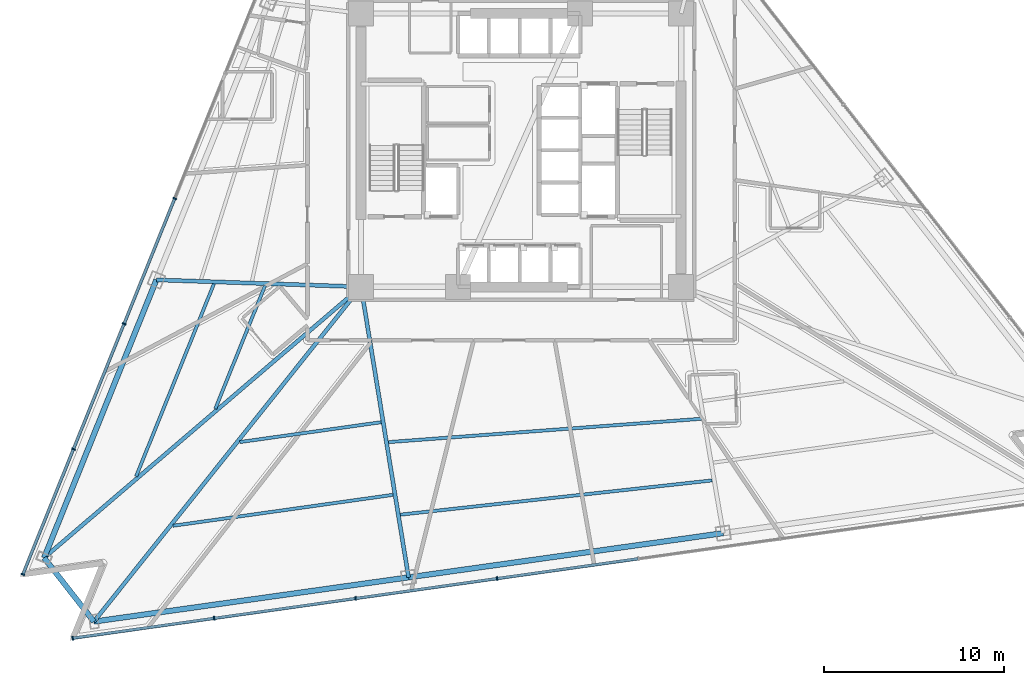
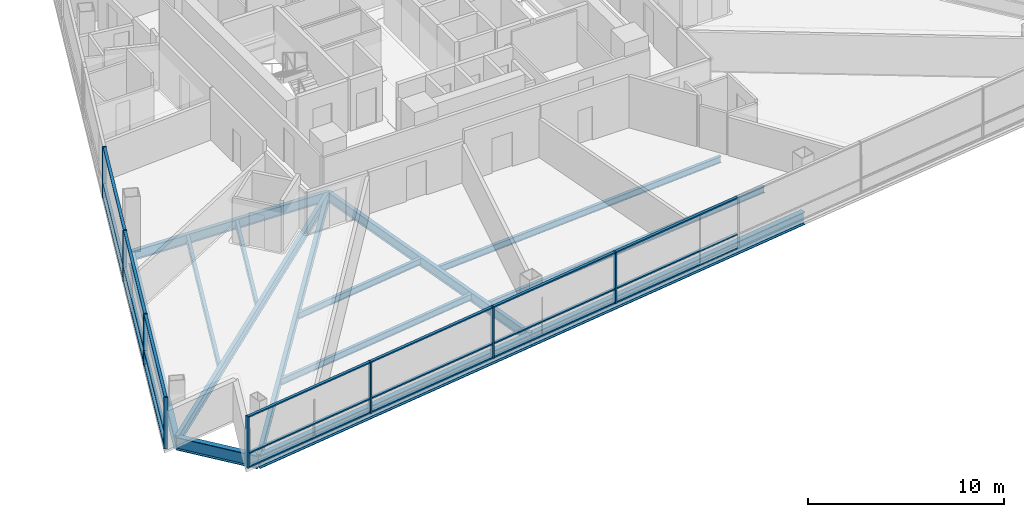
# One storey, part 2 of 15: 29 members, 14 beams, 2 elements without a shape of their own.
"""IFC4 building model written with IfcOpenShell, lengths in metres."""

from ifc_helpers import new_model, si_unit, direction, frame, origin, origin_2d, place, context, subcontext, project, spatial, rectangle, i_section, extrude, material, layer, layer_set, material_profile, profile_set, type_object, element, aggregate, save


model = new_model("IFC4")

# Units and contexts
model_context = context("Model", 3, precision=1e-05, world=origin(), true_north=direction((0.0, 1.0)))
body_context = subcontext(model_context, "Body", "Model", "MODEL_VIEW")
ifc_project = project(units=[si_unit("LENGTHUNIT", "METRE"), si_unit("AREAUNIT", "SQUARE_METRE"), si_unit("VOLUMEUNIT", "CUBIC_METRE"), si_unit("PLANEANGLEUNIT", "RADIAN"), si_unit("MASSUNIT", "GRAM", prefix="KILO")], contexts=[model_context])

# Site, building, storey
site_placement = place(None, origin())
site = spatial("IfcSite", under=ifc_project, at=site_placement, CompositionType="ELEMENT")
building_placement = place(site_placement, origin())
building = spatial("IfcBuilding", under=site, at=building_placement, Name="Tharavind Bronze Gate", CompositionType="ELEMENT")
storey_placement = place(building_placement, frame((0.0, 0.0, 77.64990234375)))
storey = spatial("IfcBuildingStorey", under=building, at=storey_placement, Name="L19", CompositionType="ELEMENT", Elevation=77.64990234375)

# Curtain wall, members
ifc_material_1 = material(Name="Anodised Bronze Aluminium", Category="aluminium")
ifc_layer = layer(ifc_material_1, 0.219970703125)
ifc_layer_set = layer_set([ifc_layer], Name="Anodised Bronze Aluminium")
curtain_wall_type = type_object("IfcCurtainWallType", Name="UNITISED CURTAIN WALL HOTEL", PredefinedType="USERDEFINED", material=ifc_layer_set)
curtain_wall_1_placement = place(storey_placement, origin())
curtain_wall_1 = element("IfcCurtainWall", 1, at=curtain_wall_1_placement, inside=storey, type_object=curtain_wall_type, Name="L19 unitised curtain wall hotel CW-L19-S1", ObjectType="UNITISED CURTAIN WALL", PredefinedType="USERDEFINED")
member_type_1 = type_object("IfcMemberType", Name="CURTAIN WALL MULLION 80X220", PredefinedType="MULLION", material=ifc_material_1)
member_1_placement = place(storey_placement, frame((-19.261474609375, -2.688232421875, 0.0), z_axis=(0.0, 0.0, 1.0), x_axis=(-0.374606593416, -0.927183854567, 0.0)))
member_1 = element("IfcMember", 2, at=member_1_placement, type_object=member_type_1, Name="CW-L19-S1 mullion 5", PredefinedType="MULLION", context=body_context, shape_type="SweptSolid", body=[
    extrude(rectangle(XDim=0.080078125, YDim=0.219970703125, at=origin_2d()), origin(), (0.0, 0.0, 1.0), 3.2099609375),
])
member_2_placement = place(storey_placement, frame((-22.07666015625, -9.65625, 0.0), z_axis=(0.0, 0.0, 1.0), x_axis=(-0.374606593416, -0.927183854567, 0.0)))
member_2 = element("IfcMember", 3, at=member_2_placement, type_object=member_type_1, Name="CW-L19-S1 mullion 6", PredefinedType="MULLION", context=body_context, shape_type="SweptSolid", body=[
    extrude(rectangle(XDim=0.080078125, YDim=0.219970703125, at=origin_2d()), origin(), (0.0, 0.0, 1.0), 3.2099609375),
])
member_3_placement = place(storey_placement, frame((-24.891845703125, -16.6240234375, 0.0), z_axis=(0.0, 0.0, 1.0), x_axis=(-0.374606593416, -0.927183854567, 0.0)))
member_3 = element("IfcMember", 4, at=member_3_placement, type_object=member_type_1, Name="CW-L19-S1 mullion 7", PredefinedType="MULLION", context=body_context, shape_type="SweptSolid", body=[
    extrude(rectangle(XDim=0.080078125, YDim=0.219970703125, at=origin_2d()), origin(), (0.0, 0.0, 1.0), 3.2099609375),
])
member_4_placement = place(storey_placement, frame((-27.70703125, -23.591796875, 0.0), z_axis=(0.0, 0.0, 1.0), x_axis=(-0.374606593416, -0.927183854567, 0.0)))
member_4 = element("IfcMember", 5, at=member_4_placement, type_object=member_type_1, Name="CW-L19-S1 mullion 8", PredefinedType="MULLION", context=body_context, shape_type="SweptSolid", body=[
    extrude(rectangle(XDim=0.080078125, YDim=0.219970703125, at=origin_2d()), origin(), (0.0, 0.0, 1.0), 3.2099609375),
])

curtain_wall_2_placement = place(storey_placement, origin())
curtain_wall_2 = element("IfcCurtainWall", 6, at=curtain_wall_2_placement, inside=storey, type_object=curtain_wall_type, Name="L19 unitised curtain wall hotel CW-L19-S2", ObjectType="UNITISED CURTAIN WALL", PredefinedType="USERDEFINED")
member_5_placement = place(storey_placement, frame((-24.9365234375, -27.137939453125, 0.0), z_axis=(0.0, 0.0, 1.0), x_axis=(0.990268068742, 0.13917310096, 0.0)))
member_5 = element("IfcMember", 7, at=member_5_placement, type_object=member_type_1, Name="CW-L19-S2 mullion 1", PredefinedType="MULLION", context=body_context, shape_type="SweptSolid", body=[
    extrude(rectangle(XDim=0.080078125, YDim=0.219970703125, at=origin_2d()), origin(), (0.0, 0.0, 1.0), 3.2099609375),
])
member_6_placement = place(storey_placement, frame((-17.0703125, -26.032470703125, 0.0), z_axis=(0.0, 0.0, 1.0), x_axis=(0.990268068742, 0.13917310096, 0.0)))
member_6 = element("IfcMember", 8, at=member_6_placement, type_object=member_type_1, Name="CW-L19-S2 mullion 2", PredefinedType="MULLION", context=body_context, shape_type="SweptSolid", body=[
    extrude(rectangle(XDim=0.080078125, YDim=0.219970703125, at=origin_2d()), origin(), (0.0, 0.0, 1.0), 3.2099609375),
])
member_7_placement = place(storey_placement, frame((-9.203857421875, -24.9267578125, 0.0), z_axis=(0.0, 0.0, 1.0), x_axis=(0.990268068742, 0.13917310096, 0.0)))
member_7 = element("IfcMember", 9, at=member_7_placement, type_object=member_type_1, Name="CW-L19-S2 mullion 3", PredefinedType="MULLION", context=body_context, shape_type="SweptSolid", body=[
    extrude(rectangle(XDim=0.080078125, YDim=0.219970703125, at=origin_2d()), origin(), (0.0, 0.0, 1.0), 3.2099609375),
])
member_8_placement = place(storey_placement, frame((-1.337646484375, -23.8212890625, 0.0), z_axis=(0.0, 0.0, 1.0), x_axis=(0.990268068742, 0.13917310096, 0.0)))
member_8 = element("IfcMember", 10, at=member_8_placement, type_object=member_type_1, Name="CW-L19-S2 mullion 4", PredefinedType="MULLION", context=body_context, shape_type="SweptSolid", body=[
    extrude(rectangle(XDim=0.080078125, YDim=0.219970703125, at=origin_2d()), origin(), (0.0, 0.0, 1.0), 3.2099609375),
])

# Member
member_type_2 = type_object("IfcMemberType", Name="CURTAIN WALL TRANSOM 80X160", PredefinedType="USERDEFINED", material=ifc_material_1)
member_9_placement = place(storey_placement, frame((-20.669189453125, -6.17236328125, 0.0), z_axis=(0.0, 0.0, 1.0), x_axis=(-0.374606593416, -0.927183854567, 0.0)))
member_9 = element("IfcMember", 11, at=member_9_placement, type_object=member_type_2, Name="CW-L19-S1 transom TB5", ObjectType="TRANSOM", PredefinedType="USERDEFINED", context=body_context, shape_type="SweptSolid", body=[
    extrude(rectangle(XDim=7.447021484375, YDim=0.159912109375, at=origin_2d()), origin(), (0.0, 0.0, 1.0), 0.080078125),
])

member_10_placement = place(storey_placement, frame((-20.669189453125, -6.17236328125, 0.860107421875), z_axis=(0.0, 0.0, 1.0), x_axis=(-0.374606593416, -0.927183854567, 0.0)))
member_10 = element("IfcMember", 12, at=member_10_placement, type_object=member_type_2, Name="CW-L19-S1 transom TS5", ObjectType="TRANSOM", PredefinedType="USERDEFINED", context=body_context, shape_type="SweptSolid", body=[
    extrude(rectangle(XDim=7.447021484375, YDim=0.159912109375, at=origin_2d()), origin(), (0.0, 0.0, 1.0), 0.080078125),
])

member_11_placement = place(storey_placement, frame((-20.669189453125, -6.17236328125, 3.130126953125), z_axis=(0.0, 0.0, 1.0), x_axis=(-0.374606593416, -0.927183854567, 0.0)))
member_11 = element("IfcMember", 13, at=member_11_placement, type_object=member_type_2, Name="CW-L19-S1 transom TT5", ObjectType="TRANSOM", PredefinedType="USERDEFINED", context=body_context, shape_type="SweptSolid", body=[
    extrude(rectangle(XDim=7.447021484375, YDim=0.159912109375, at=origin_2d()), origin(), (0.0, 0.0, 1.0), 0.080078125),
])

member_12_placement = place(storey_placement, frame((-23.484375, -13.14013671875, 0.0), z_axis=(0.0, 0.0, 1.0), x_axis=(-0.374606593416, -0.927183854567, 0.0)))
member_12 = element("IfcMember", 14, at=member_12_placement, type_object=member_type_2, Name="CW-L19-S1 transom TB6", ObjectType="TRANSOM", PredefinedType="USERDEFINED", context=body_context, shape_type="SweptSolid", body=[
    extrude(rectangle(XDim=7.447021484375, YDim=0.159912109375, at=origin_2d()), origin(), (0.0, 0.0, 1.0), 0.080078125),
])

member_13_placement = place(storey_placement, frame((-23.484375, -13.14013671875, 0.860107421875), z_axis=(0.0, 0.0, 1.0), x_axis=(-0.374606593416, -0.927183854567, 0.0)))
member_13 = element("IfcMember", 15, at=member_13_placement, type_object=member_type_2, Name="CW-L19-S1 transom TS6", ObjectType="TRANSOM", PredefinedType="USERDEFINED", context=body_context, shape_type="SweptSolid", body=[
    extrude(rectangle(XDim=7.447021484375, YDim=0.159912109375, at=origin_2d()), origin(), (0.0, 0.0, 1.0), 0.080078125),
])

member_14_placement = place(storey_placement, frame((-23.484375, -13.14013671875, 3.130126953125), z_axis=(0.0, 0.0, 1.0), x_axis=(-0.374606593416, -0.927183854567, 0.0)))
member_14 = element("IfcMember", 16, at=member_14_placement, type_object=member_type_2, Name="CW-L19-S1 transom TT6", ObjectType="TRANSOM", PredefinedType="USERDEFINED", context=body_context, shape_type="SweptSolid", body=[
    extrude(rectangle(XDim=7.447021484375, YDim=0.159912109375, at=origin_2d()), origin(), (0.0, 0.0, 1.0), 0.080078125),
])

member_15_placement = place(storey_placement, frame((-26.299560546875, -20.10791015625, 0.0), z_axis=(0.0, 0.0, 1.0), x_axis=(-0.374606593416, -0.927183854567, 0.0)))
member_15 = element("IfcMember", 17, at=member_15_placement, type_object=member_type_2, Name="CW-L19-S1 transom TB7", ObjectType="TRANSOM", PredefinedType="USERDEFINED", context=body_context, shape_type="SweptSolid", body=[
    extrude(rectangle(XDim=7.447021484375, YDim=0.159912109375, at=origin_2d()), origin(), (0.0, 0.0, 1.0), 0.080078125),
])

member_16_placement = place(storey_placement, frame((-26.299560546875, -20.10791015625, 0.860107421875), z_axis=(0.0, 0.0, 1.0), x_axis=(-0.374606593416, -0.927183854567, 0.0)))
member_16 = element("IfcMember", 18, at=member_16_placement, type_object=member_type_2, Name="CW-L19-S1 transom TS7", ObjectType="TRANSOM", PredefinedType="USERDEFINED", context=body_context, shape_type="SweptSolid", body=[
    extrude(rectangle(XDim=7.447021484375, YDim=0.159912109375, at=origin_2d()), origin(), (0.0, 0.0, 1.0), 0.080078125),
])

member_17_placement = place(storey_placement, frame((-26.299560546875, -20.10791015625, 3.130126953125), z_axis=(0.0, 0.0, 1.0), x_axis=(-0.374606593416, -0.927183854567, 0.0)))
member_17 = element("IfcMember", 19, at=member_17_placement, type_object=member_type_2, Name="CW-L19-S1 transom TT7", ObjectType="TRANSOM", PredefinedType="USERDEFINED", context=body_context, shape_type="SweptSolid", body=[
    extrude(rectangle(XDim=7.447021484375, YDim=0.159912109375, at=origin_2d()), origin(), (0.0, 0.0, 1.0), 0.080078125),
])

aggregate(curtain_wall_1, [member_1, member_2, member_3, member_4, member_9, member_10, member_11, member_12, member_13, member_14, member_15, member_16, member_17])

member_18_placement = place(storey_placement, frame((-21.00341796875, -26.585205078125, 0.0), z_axis=(0.0, 0.0, 1.0), x_axis=(0.990268068742, 0.13917310096, 0.0)))
member_18 = element("IfcMember", 20, at=member_18_placement, type_object=member_type_2, Name="CW-L19-S2 transom TB1", ObjectType="TRANSOM", PredefinedType="USERDEFINED", context=body_context, shape_type="SweptSolid", body=[
    extrude(rectangle(XDim=7.87548828125, YDim=0.159912109375, at=origin_2d()), origin(), (0.0, 0.0, 1.0), 0.080078125),
])

member_19_placement = place(storey_placement, frame((-21.00341796875, -26.585205078125, 0.860107421875), z_axis=(0.0, 0.0, 1.0), x_axis=(0.990268068742, 0.13917310096, 0.0)))
member_19 = element("IfcMember", 21, at=member_19_placement, type_object=member_type_2, Name="CW-L19-S2 transom TS1", ObjectType="TRANSOM", PredefinedType="USERDEFINED", context=body_context, shape_type="SweptSolid", body=[
    extrude(rectangle(XDim=7.87548828125, YDim=0.159912109375, at=origin_2d()), origin(), (0.0, 0.0, 1.0), 0.080078125),
])

member_20_placement = place(storey_placement, frame((-21.00341796875, -26.585205078125, 3.130126953125), z_axis=(0.0, 0.0, 1.0), x_axis=(0.990268068742, 0.13917310096, 0.0)))
member_20 = element("IfcMember", 22, at=member_20_placement, type_object=member_type_2, Name="CW-L19-S2 transom TT1", ObjectType="TRANSOM", PredefinedType="USERDEFINED", context=body_context, shape_type="SweptSolid", body=[
    extrude(rectangle(XDim=7.87548828125, YDim=0.159912109375, at=origin_2d()), origin(), (0.0, 0.0, 1.0), 0.080078125),
])

member_21_placement = place(storey_placement, frame((-13.13720703125, -25.4794921875, 0.0), z_axis=(0.0, 0.0, 1.0), x_axis=(0.990268068742, 0.13917310096, 0.0)))
member_21 = element("IfcMember", 23, at=member_21_placement, type_object=member_type_2, Name="CW-L19-S2 transom TB2", ObjectType="TRANSOM", PredefinedType="USERDEFINED", context=body_context, shape_type="SweptSolid", body=[
    extrude(rectangle(XDim=7.87548828125, YDim=0.159912109375, at=origin_2d()), origin(), (0.0, 0.0, 1.0), 0.080078125),
])

member_22_placement = place(storey_placement, frame((-13.13720703125, -25.4794921875, 0.860107421875), z_axis=(0.0, 0.0, 1.0), x_axis=(0.990268068742, 0.13917310096, 0.0)))
member_22 = element("IfcMember", 24, at=member_22_placement, type_object=member_type_2, Name="CW-L19-S2 transom TS2", ObjectType="TRANSOM", PredefinedType="USERDEFINED", context=body_context, shape_type="SweptSolid", body=[
    extrude(rectangle(XDim=7.87548828125, YDim=0.159912109375, at=origin_2d()), origin(), (0.0, 0.0, 1.0), 0.080078125),
])

member_23_placement = place(storey_placement, frame((-13.13720703125, -25.4794921875, 3.130126953125), z_axis=(0.0, 0.0, 1.0), x_axis=(0.990268068742, 0.13917310096, 0.0)))
member_23 = element("IfcMember", 25, at=member_23_placement, type_object=member_type_2, Name="CW-L19-S2 transom TT2", ObjectType="TRANSOM", PredefinedType="USERDEFINED", context=body_context, shape_type="SweptSolid", body=[
    extrude(rectangle(XDim=7.87548828125, YDim=0.159912109375, at=origin_2d()), origin(), (0.0, 0.0, 1.0), 0.080078125),
])

member_24_placement = place(storey_placement, frame((-5.270751953125, -24.3740234375, 0.0), z_axis=(0.0, 0.0, 1.0), x_axis=(0.990268068742, 0.13917310096, 0.0)))
member_24 = element("IfcMember", 26, at=member_24_placement, type_object=member_type_2, Name="CW-L19-S2 transom TB3", ObjectType="TRANSOM", PredefinedType="USERDEFINED", context=body_context, shape_type="SweptSolid", body=[
    extrude(rectangle(XDim=7.87548828125, YDim=0.159912109375, at=origin_2d()), origin(), (0.0, 0.0, 1.0), 0.080078125),
])

member_25_placement = place(storey_placement, frame((-5.270751953125, -24.3740234375, 0.860107421875), z_axis=(0.0, 0.0, 1.0), x_axis=(0.990268068742, 0.13917310096, 0.0)))
member_25 = element("IfcMember", 27, at=member_25_placement, type_object=member_type_2, Name="CW-L19-S2 transom TS3", ObjectType="TRANSOM", PredefinedType="USERDEFINED", context=body_context, shape_type="SweptSolid", body=[
    extrude(rectangle(XDim=7.87548828125, YDim=0.159912109375, at=origin_2d()), origin(), (0.0, 0.0, 1.0), 0.080078125),
])

member_26_placement = place(storey_placement, frame((-5.270751953125, -24.3740234375, 3.130126953125), z_axis=(0.0, 0.0, 1.0), x_axis=(0.990268068742, 0.13917310096, 0.0)))
member_26 = element("IfcMember", 28, at=member_26_placement, type_object=member_type_2, Name="CW-L19-S2 transom TT3", ObjectType="TRANSOM", PredefinedType="USERDEFINED", context=body_context, shape_type="SweptSolid", body=[
    extrude(rectangle(XDim=7.87548828125, YDim=0.159912109375, at=origin_2d()), origin(), (0.0, 0.0, 1.0), 0.080078125),
])

member_27_placement = place(storey_placement, frame((2.595703125, -23.2685546875, 0.0), z_axis=(0.0, 0.0, 1.0), x_axis=(0.990268068742, 0.13917310096, 0.0)))
member_27 = element("IfcMember", 29, at=member_27_placement, type_object=member_type_2, Name="CW-L19-S2 transom TB4", ObjectType="TRANSOM", PredefinedType="USERDEFINED", context=body_context, shape_type="SweptSolid", body=[
    extrude(rectangle(XDim=7.87548828125, YDim=0.159912109375, at=origin_2d()), origin(), (0.0, 0.0, 1.0), 0.080078125),
])

member_28_placement = place(storey_placement, frame((2.595703125, -23.2685546875, 0.860107421875), z_axis=(0.0, 0.0, 1.0), x_axis=(0.990268068742, 0.13917310096, 0.0)))
member_28 = element("IfcMember", 30, at=member_28_placement, type_object=member_type_2, Name="CW-L19-S2 transom TS4", ObjectType="TRANSOM", PredefinedType="USERDEFINED", context=body_context, shape_type="SweptSolid", body=[
    extrude(rectangle(XDim=7.87548828125, YDim=0.159912109375, at=origin_2d()), origin(), (0.0, 0.0, 1.0), 0.080078125),
])

member_29_placement = place(storey_placement, frame((2.595703125, -23.2685546875, 3.130126953125), z_axis=(0.0, 0.0, 1.0), x_axis=(0.990268068742, 0.13917310096, 0.0)))
member_29 = element("IfcMember", 31, at=member_29_placement, type_object=member_type_2, Name="CW-L19-S2 transom TT4", ObjectType="TRANSOM", PredefinedType="USERDEFINED", context=body_context, shape_type="SweptSolid", body=[
    extrude(rectangle(XDim=7.87548828125, YDim=0.159912109375, at=origin_2d()), origin(), (0.0, 0.0, 1.0), 0.080078125),
])

aggregate(curtain_wall_2, [member_5, member_6, member_7, member_8, member_18, member_19, member_20, member_21, member_22, member_23, member_24, member_25, member_26, member_27, member_28, member_29])

# Beams
ifc_material_2 = material(Name="Steel S355", Category="steel")
ifc_material_profile_1 = material_profile(ifc_material_2, i_section(OverallWidth=0.219970703125, OverallDepth=0.60009765625, WebThickness=0.011962890625, FlangeThickness=0.01904296875, at=origin_2d()), Name="IPE600")
ifc_profile_set_1 = profile_set([ifc_material_profile_1], Name="Steel S355")
beam_type_1 = type_object("IfcBeamType", Name="PRIMARY GIRDER IPE600", PredefinedType="USERDEFINED", material=ifc_profile_set_1)
beam_1_placement = place(storey_placement, frame((-20.28076171875, -7.212890625, -0.474853515625), z_axis=(0.999421731514, -0.034002978938, 0.0), x_axis=(0.034002978938, 0.999421731514, 0.0)))
element("IfcBeam", 32, at=beam_1_placement, inside=storey, type_object=beam_type_1, Name="L19 primary girder ipe600 BM-L19-RAD03", ObjectType="GIRDER", PredefinedType="USERDEFINED", context=body_context, shape_type="SweptSolid", body=[
    extrude(i_section(OverallWidth=0.219970703125, OverallDepth=0.60009765625, WebThickness=0.011962890625, FlangeThickness=0.01904296875, at=origin_2d()), origin(), (0.0, 0.0, 1.0), 11.387451171875),
])
beam_2_placement = place(storey_placement, frame((-26.525146484375, -22.66845703125, -0.474853515625), z_axis=(0.760086871137, 0.649821474195, 0.0), x_axis=(-0.649821474195, 0.760086871137, 0.0)))
element("IfcBeam", 33, at=beam_2_placement, inside=storey, type_object=beam_type_1, Name="L19 primary girder ipe600 BM-L19-RAD04", ObjectType="GIRDER", PredefinedType="USERDEFINED", context=body_context, shape_type="SweptSolid", body=[
    extrude(i_section(OverallWidth=0.219970703125, OverallDepth=0.60009765625, WebThickness=0.011962890625, FlangeThickness=0.01904296875, at=origin_2d()), origin(), (0.0, 0.0, 1.0), 23.1884765625),
])
beam_3_placement = place(storey_placement, frame((-23.754638671875, -26.21435546875, -0.474853515625), z_axis=(0.623755703822, 0.781619358735, 0.0), x_axis=(-0.781619358735, 0.623755703822, 0.0)))
element("IfcBeam", 34, at=beam_3_placement, inside=storey, type_object=beam_type_1, Name="L19 primary girder ipe600 BM-L19-RAD05", ObjectType="GIRDER", PredefinedType="USERDEFINED", context=body_context, shape_type="SweptSolid", body=[
    extrude(i_section(OverallWidth=0.219970703125, OverallDepth=0.60009765625, WebThickness=0.011962890625, FlangeThickness=0.01904296875, at=origin_2d()), origin(), (0.0, 0.0, 1.0), 23.81494140625),
])
beam_4_placement = place(storey_placement, frame((-6.25732421875, -23.75537109375, -0.474853515625), z_axis=(-0.161428355107, 0.986884434049, 0.0), x_axis=(-0.986884434049, -0.161428355107, 0.0)))
element("IfcBeam", 35, at=beam_4_placement, inside=storey, type_object=beam_type_1, Name="L19 primary girder ipe600 BM-L19-RAD06", ObjectType="GIRDER", PredefinedType="USERDEFINED", context=body_context, shape_type="SweptSolid", body=[
    extrude(i_section(OverallWidth=0.219970703125, OverallDepth=0.60009765625, WebThickness=0.011962890625, FlangeThickness=0.01904296875, at=origin_2d()), origin(), (0.0, 0.0, 1.0), 16.369873046875),
])
ifc_material_profile_2 = material_profile(ifc_material_2, i_section(OverallWidth=0.300048828125, OverallDepth=0.800048828125, WebThickness=0.017578125, FlangeThickness=0.032958984375, at=origin_2d()), Name="HE800B")
ifc_profile_set_2 = profile_set([ifc_material_profile_2], Name="Steel S355")
beam_type_2 = type_object("IfcBeamType", Name="RING GIRDER HE800B", PredefinedType="USERDEFINED", material=ifc_profile_set_2)
beam_5_placement = place(storey_placement, frame((-20.28076171875, -7.212890625, -0.574951171875), z_axis=(-0.374603014443, -0.927185300557, 0.0), x_axis=(0.927185300557, -0.374603014443, 0.0)))
element("IfcBeam", 36, at=beam_5_placement, inside=storey, type_object=beam_type_2, Name="L19 ring girder he800b BM-L19-PRG03", ObjectType="GIRDER", PredefinedType="USERDEFINED", context=body_context, shape_type="SweptSolid", body=[
    extrude(i_section(OverallWidth=0.300048828125, OverallDepth=0.800048828125, WebThickness=0.017578125, FlangeThickness=0.032958984375, at=origin_2d()), origin(), (0.0, 0.0, 1.0), 16.66943359375),
])
beam_6_placement = place(storey_placement, frame((-26.525146484375, -22.66845703125, -0.574951171875), z_axis=(0.615681943852, -0.787994761413, 0.0), x_axis=(0.787994761413, 0.615681943852, 0.0)))
element("IfcBeam", 37, at=beam_6_placement, inside=storey, type_object=beam_type_2, Name="L19 ring girder he800b BM-L19-PRG04", ObjectType="GIRDER", PredefinedType="USERDEFINED", context=body_context, shape_type="SweptSolid", body=[
    extrude(i_section(OverallWidth=0.300048828125, OverallDepth=0.800048828125, WebThickness=0.017578125, FlangeThickness=0.032958984375, at=origin_2d()), origin(), (0.0, 0.0, 1.0), 4.5),
])
beam_7_placement = place(storey_placement, frame((-23.754638671875, -26.21435546875, -0.574951171875), z_axis=(0.990268870582, 0.13916739545, 0.0), x_axis=(-0.13916739545, 0.990268870582, 0.0)))
element("IfcBeam", 38, at=beam_7_placement, inside=storey, type_object=beam_type_2, Name="L19 ring girder he800b BM-L19-PRG05", ObjectType="GIRDER", PredefinedType="USERDEFINED", context=body_context, shape_type="SweptSolid", body=[
    extrude(i_section(OverallWidth=0.300048828125, OverallDepth=0.800048828125, WebThickness=0.017578125, FlangeThickness=0.032958984375, at=origin_2d()), origin(), (0.0, 0.0, 1.0), 17.669189453125),
])
beam_8_placement = place(storey_placement, frame((-6.25732421875, -23.75537109375, -0.574951171875), z_axis=(0.99026860297, 0.139169299675, 0.0), x_axis=(-0.139169299675, 0.99026860297, 0.0)))
element("IfcBeam", 39, at=beam_8_placement, inside=storey, type_object=beam_type_2, Name="L19 ring girder he800b BM-L19-PRG06", ObjectType="GIRDER", PredefinedType="USERDEFINED", context=body_context, shape_type="SweptSolid", body=[
    extrude(i_section(OverallWidth=0.300048828125, OverallDepth=0.800048828125, WebThickness=0.017578125, FlangeThickness=0.032958984375, at=origin_2d()), origin(), (0.0, 0.0, 1.0), 17.6689453125),
])
ifc_material_profile_3 = material_profile(ifc_material_2, i_section(OverallWidth=0.179931640625, OverallDepth=0.39990234375, WebThickness=0.008544921875, FlangeThickness=0.013427734375, at=origin_2d()), Name="IPE400")
ifc_profile_set_3 = profile_set([ifc_material_profile_3], Name="Steel S355")
beam_type_3 = type_object("IfcBeamType", Name="SECONDARY FLOOR JOIST IPE400", PredefinedType="JOIST", material=ifc_profile_set_3)
beam_9_placement = place(storey_placement, frame((-14.2373046875, -7.5322265625, -0.375), z_axis=(-0.37461330308, -0.927181143658, 0.0), x_axis=(0.927181143658, -0.37461330308, 0.0)))
element("IfcBeam", 40, at=beam_9_placement, inside=storey, type_object=beam_type_3, Name="L19 secondary floor joist ipe400 BM-L19-JSTA03", PredefinedType="JOIST", context=body_context, shape_type="SweptSolid", body=[
    extrude(i_section(OverallWidth=0.179931640625, OverallDepth=0.39990234375, WebThickness=0.008544921875, FlangeThickness=0.013427734375, at=origin_2d()), origin(), (0.0, 0.0, 1.0), 7.387939453125),
])
beam_10_placement = place(storey_placement, frame((-17.08251953125, -7.435546875, -0.375), z_axis=(-0.374608720943, -0.927182994987, 0.0), x_axis=(0.927182994987, -0.374608720943, 0.0)))
element("IfcBeam", 41, at=beam_10_placement, inside=storey, type_object=beam_type_3, Name="L19 secondary floor joist ipe400 BM-L19-JSTB03", PredefinedType="JOIST", context=body_context, shape_type="SweptSolid", body=[
    extrude(i_section(OverallWidth=0.179931640625, OverallDepth=0.39990234375, WebThickness=0.008544921875, FlangeThickness=0.013427734375, at=origin_2d()), origin(), (0.0, 0.0, 1.0), 11.554931640625),
])
beam_11_placement = place(storey_placement, frame((-15.64501953125, -16.23291015625, -0.375), z_axis=(0.990268635853, 0.139169065695, 0.0), x_axis=(-0.139169065695, 0.990268635853, 0.0)))
element("IfcBeam", 42, at=beam_11_placement, inside=storey, type_object=beam_type_3, Name="L19 secondary floor joist ipe400 BM-L19-JSTA05", PredefinedType="JOIST", context=body_context, shape_type="SweptSolid", body=[
    extrude(i_section(OverallWidth=0.179931640625, OverallDepth=0.39990234375, WebThickness=0.008544921875, FlangeThickness=0.013427734375, at=origin_2d()), origin(), (0.0, 0.0, 1.0), 7.93798828125),
])
beam_12_placement = place(storey_placement, frame((-19.358642578125, -20.886474609375, -0.375), z_axis=(0.990268624097, 0.139169149347, 0.0), x_axis=(-0.139169149347, 0.990268624097, 0.0)))
element("IfcBeam", 43, at=beam_12_placement, inside=storey, type_object=beam_type_3, Name="L19 secondary floor joist ipe400 BM-L19-JSTB05", PredefinedType="JOIST", context=body_context, shape_type="SweptSolid", body=[
    extrude(i_section(OverallWidth=0.179931640625, OverallDepth=0.39990234375, WebThickness=0.008544921875, FlangeThickness=0.013427734375, at=origin_2d()), origin(), (0.0, 0.0, 1.0), 12.355224609375),
])
beam_13_placement = place(storey_placement, frame((-7.3720703125, -16.234619140625, -0.375), z_axis=(0.997229733674, 0.074383185436, 0.0), x_axis=(-0.074383185436, 0.997229733674, 0.0)))
element("IfcBeam", 44, at=beam_13_placement, inside=storey, type_object=beam_type_3, Name="L19 secondary floor joist ipe400 BM-L19-JSTA06", PredefinedType="JOIST", context=body_context, shape_type="SweptSolid", body=[
    extrude(i_section(OverallWidth=0.179931640625, OverallDepth=0.39990234375, WebThickness=0.008544921875, FlangeThickness=0.013427734375, at=origin_2d()), origin(), (0.0, 0.0, 1.0), 17.4580078125),
])
beam_14_placement = place(storey_placement, frame((-6.712158203125, -20.269287109375, -0.375), z_axis=(0.99401448474, 0.109248359842, 0.0), x_axis=(-0.109248359842, 0.99401448474, 0.0)))
element("IfcBeam", 45, at=beam_14_placement, inside=storey, type_object=beam_type_3, Name="L19 secondary floor joist ipe400 BM-L19-JSTB06", PredefinedType="JOIST", context=body_context, shape_type="SweptSolid", body=[
    extrude(i_section(OverallWidth=0.179931640625, OverallDepth=0.39990234375, WebThickness=0.008544921875, FlangeThickness=0.013427734375, at=origin_2d()), origin(), (0.0, 0.0, 1.0), 17.43994140625),
])

save(model, "model.ifc")
